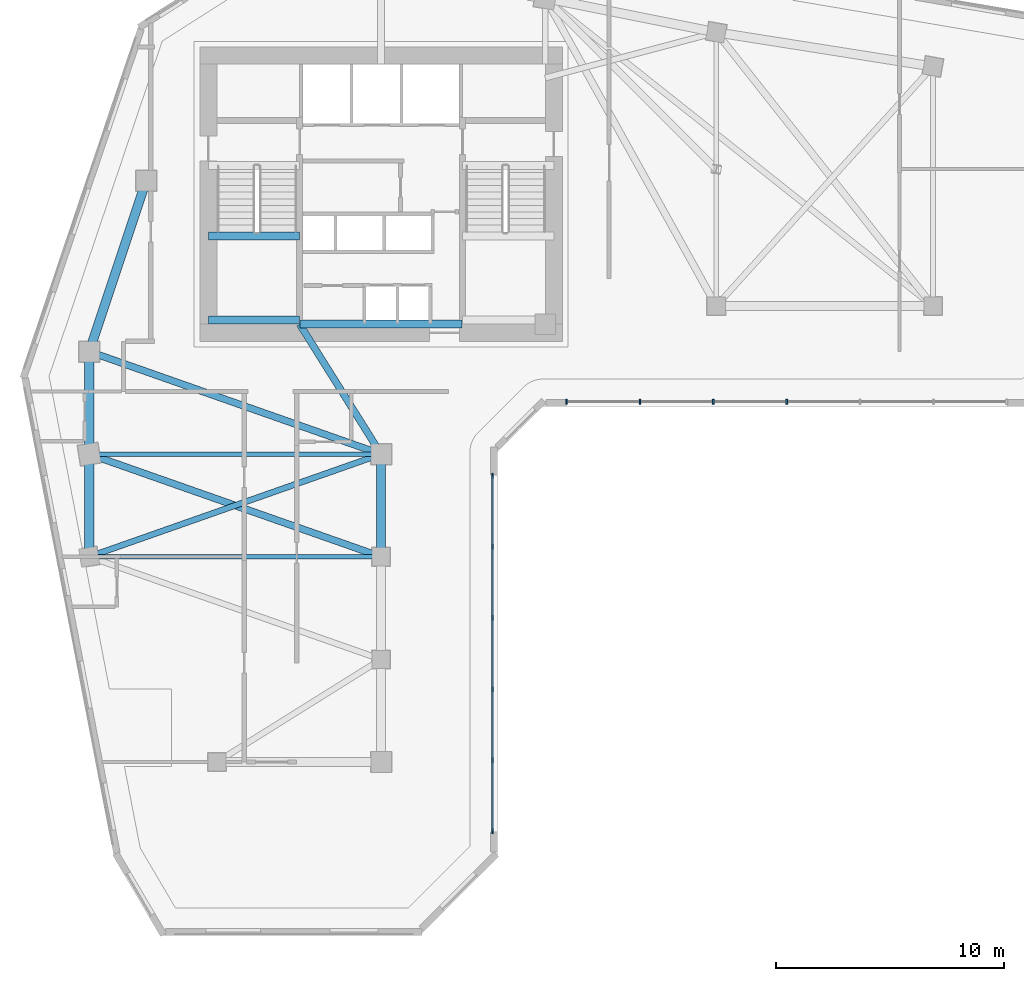
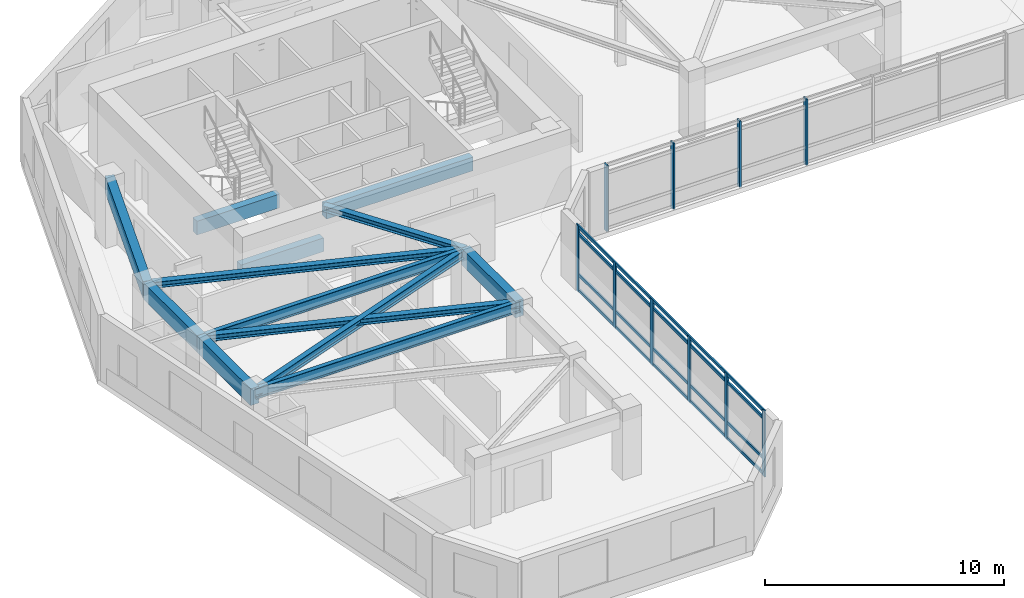
# One storey, part 2 of 13: 14 members, 13 beams, 2 elements without a shape of their own.
"""IFC4 building model written with IfcOpenShell, lengths in metres."""

from ifc_helpers import new_model, si_unit, direction, frame, origin, origin_2d, place, context, subcontext, project, spatial, rectangle, i_section, extrude, source, transform, mapped, material, material_profile, profile_set, type_object, element, aggregate, save


model = new_model("IFC4")

# Units and contexts
model_context = context("Model", 3, precision=1e-05, world=origin(), true_north=direction((0.0, 1.0)))
body_context = subcontext(model_context, "Body", "Model", "MODEL_VIEW")
ifc_project = project(units=[si_unit("LENGTHUNIT", "METRE"), si_unit("AREAUNIT", "SQUARE_METRE"), si_unit("VOLUMEUNIT", "CUBIC_METRE"), si_unit("PLANEANGLEUNIT", "RADIAN"), si_unit("MASSUNIT", "GRAM", prefix="KILO")], contexts=[model_context])

# Site, building, storey
site_placement = place(None, origin())
site = spatial("IfcSite", under=ifc_project, at=site_placement, CompositionType="ELEMENT")
building_placement = place(site_placement, origin())
building = spatial("IfcBuilding", under=site, at=building_placement, Name="Calvemar Wedge Station Tower", CompositionType="ELEMENT")
storey_placement = place(building_placement, frame((0.0, 0.0, 132.199951171875)))
storey = spatial("IfcBuildingStorey", under=building, at=storey_placement, Name="L32", CompositionType="ELEMENT", Elevation=132.199951171875)

# Beams
ifc_material_1 = material(Name="Concrete C60", Category="concrete")
ifc_material_profile_1 = material_profile(ifc_material_1, rectangle(XDim=0.39990234375, YDim=0.85009765625, at=origin_2d()), Name="RC400x850")
ifc_profile_set_1 = profile_set([ifc_material_profile_1], Name="Concrete C60")
beam_type_1 = type_object("IfcBeamType", Name="BM-SP1-850", PredefinedType="SPANDREL", material=ifc_profile_set_1)
shared_shape_1 = source(origin(), body_context, "Body", "SweptSolid", [
    extrude(rectangle(XDim=0.39990234375, YDim=0.85009765625, at=origin_2d()), origin(), (0.0, 0.0, 1.0), 7.90576171875),
])
beam_1_placement = place(storey_placement, frame((11.0, 33.0, 2.925048828125), z_axis=(0.316227766017, 0.948683298051, 0.0), x_axis=(-0.948683298051, 0.316227766017, 0.0)))
element("IfcBeam", 1, at=beam_1_placement, inside=storey, type_object=beam_type_1, Name="Storey L32 Spandrel T-NW1-T-NW2", PredefinedType="SPANDREL", context=body_context, shape_type="MappedRepresentation", body=[
    mapped(shared_shape_1, transform((0.0, 0.0, 0.0), scale=1.0)),
])
shared_shape_2 = source(origin(), body_context, "Body", "SweptSolid", [
    extrude(rectangle(XDim=0.39990234375, YDim=0.85009765625, at=origin_2d()), origin(), (0.0, 0.0, 1.0), 4.5),
])
for number, where, z_axis, x_axis, name in (
    (2, (11.0, 33.0, 2.925048828125), (0.0, -1.0, 0.0), (1.0, 0.0, 0.0), "Storey L32 Spandrel T-NW1-T-SW1"),
    (3, (11.0, 28.5, 2.925048828125), (0.0, -1.0, 0.0), (1.0, 0.0, 0.0), "Storey L32 Spandrel T-SW1-T-SW2"),
    (4, (23.800048828125, 28.5, 2.925048828125), (0.0, -1.0, 0.0), (1.0, 0.0, 0.0), "Storey L32 Spandrel T-SE1-T-SE2"),
):
    element("IfcBeam", number, at=place(storey_placement, frame(where, z_axis=z_axis, x_axis=x_axis)), inside=storey, type_object=beam_type_1, Name=name, PredefinedType="SPANDREL", context=body_context, shape_type="MappedRepresentation", body=[
        mapped(shared_shape_2, transform((0.0, 0.0, 0.0), scale=1.0)),
    ])
ifc_material_2 = material(Name="Concrete C70", Category="concrete")
ifc_material_profile_2 = material_profile(ifc_material_2, rectangle(XDim=0.35009765625, YDim=0.699951171875, at=origin_2d()), Name="RC350x700")
ifc_profile_set_2 = profile_set([ifc_material_profile_2], Name="Concrete C70")
beam_type_2 = type_object("IfcBeamType", Name="BM-LN1-700", PredefinedType="LINTEL", material=ifc_profile_set_2)
shared_shape_3 = source(origin(), body_context, "Body", "SweptSolid", [
    extrude(rectangle(XDim=0.35009765625, YDim=0.699951171875, at=origin_2d()), origin(), (0.0, 0.0, 1.0), 7.10009765625),
])
beam_2_placement = place(storey_placement, frame((20.25, 34.199951171875, 3.0), z_axis=(1.0, 0.0, 0.0), x_axis=(0.0, 1.0, 0.0)))
element("IfcBeam", 5, at=beam_2_placement, inside=storey, type_object=beam_type_2, Name="Storey L32 Core Coupling Lintel South", PredefinedType="LINTEL", context=body_context, shape_type="MappedRepresentation", body=[
    mapped(shared_shape_3, transform((0.0, 0.0, 0.0), scale=1.0)),
])
ifc_material_3 = material(Name="Structural steel ASTM A572 Grade 50", Category="steel")
ifc_material_profile_3 = material_profile(ifc_material_3, i_section(OverallWidth=0.304931640625, OverallDepth=0.30810546875, WebThickness=0.010009765625, FlangeThickness=0.015380859375, FilletRadius=0.014892578125, at=origin_2d()), Name="W310x97")
ifc_profile_set_3 = profile_set([ifc_material_profile_3], Name="Structural steel ASTM A572 Grade 50")
beam_type_3 = type_object("IfcBeamType", Name="BM-J6-W310", PredefinedType="JOIST", material=ifc_profile_set_3)
shared_shape_4 = source(origin(), body_context, "Body", "SweptSolid", [
    extrude(i_section(OverallWidth=0.304931640625, OverallDepth=0.30810546875, WebThickness=0.010009765625, FlangeThickness=0.015380859375, FilletRadius=0.014892578125, at=origin_2d()), origin(), (0.0, 0.0, 1.0), 13.568115234375),
])
for number, where, z_axis, x_axis, name in (
    (6, (11.0, 33.0, 3.196044921875), (0.943398221169, -0.331662171939, 0.0), (0.331662171939, 0.943398221169, 0.0), "Storey L32 Floor Beam T-NW1-T-SE1"),
    (7, (11.0, 28.5, 3.196044921875), (0.943398221169, -0.331662171939, 0.0), (0.331662171939, 0.943398221169, 0.0), "Storey L32 Floor Beam T-SW1-T-SE2"),
):
    element("IfcBeam", number, at=place(storey_placement, frame(where, z_axis=z_axis, x_axis=x_axis)), inside=storey, type_object=beam_type_3, Name=name, PredefinedType="JOIST", context=body_context, shape_type="MappedRepresentation", body=[
        mapped(shared_shape_4, transform((0.0, 0.0, 0.0), scale=1.0)),
    ])
ifc_material_profile_4 = material_profile(ifc_material_3, i_section(OverallWidth=0.260986328125, OverallDepth=0.419921875, WebThickness=0.01171875, FlangeThickness=0.019287109375, FilletRadius=0.012939453125, at=origin_2d()), Name="W410x114")
ifc_profile_set_4 = profile_set([ifc_material_profile_4], Name="Structural steel ASTM A572 Grade 50")
beam_type_4 = type_object("IfcBeamType", Name="BM-J2-W410H", PredefinedType="JOIST", material=ifc_profile_set_4)
shared_shape_5 = source(origin(), body_context, "Body", "SweptSolid", [
    extrude(i_section(OverallWidth=0.260986328125, OverallDepth=0.419921875, WebThickness=0.01171875, FlangeThickness=0.019287109375, FilletRadius=0.012939453125, at=origin_2d()), origin(), (0.0, 0.0, 1.0), 13.568115234375),
])
beam_3_placement = place(storey_placement, frame((23.800048828125, 28.5, 3.14013671875), z_axis=(-0.943398221169, -0.331662171939, 0.0), x_axis=(0.331662171939, -0.943398221169, 0.0)))
element("IfcBeam", 8, at=beam_3_placement, inside=storey, type_object=beam_type_4, Name="Storey L32 Floor Beam T-SE1-T-SW2", PredefinedType="JOIST", context=body_context, shape_type="MappedRepresentation", body=[
    mapped(shared_shape_5, transform((0.0, 0.0, 0.0), scale=1.0)),
])
shared_shape_6 = source(origin(), body_context, "Body", "SweptSolid", [
    extrude(i_section(OverallWidth=0.304931640625, OverallDepth=0.30810546875, WebThickness=0.010009765625, FlangeThickness=0.015380859375, FilletRadius=0.014892578125, at=origin_2d()), origin(), (0.0, 0.0, 1.0), 6.7255859375),
])
beam_4_placement = place(storey_placement, frame((20.22998046875, 34.199951171875, 3.196044921875), z_axis=(0.530811158438, -0.847490126242, 0.0), x_axis=(0.847490126242, 0.530811158438, 0.0)))
element("IfcBeam", 9, at=beam_4_placement, inside=storey, type_object=beam_type_3, Name="Storey L32 Core-to-Column Joist CJ-S2", PredefinedType="JOIST", context=body_context, shape_type="MappedRepresentation", body=[
    mapped(shared_shape_6, transform((0.0, 0.0, 0.0), scale=1.0)),
])
shared_shape_7 = source(origin(), body_context, "Body", "SweptSolid", [
    extrude(rectangle(XDim=0.35009765625, YDim=0.699951171875, at=origin_2d()), origin(), (0.0, 0.0, 1.0), 4.0048828125),
])
for number, where, z_axis, x_axis, name in (
    (10, (16.22509765625, 34.3798828125, 1.25), (1.0, 0.0, 0.0), (0.0, 1.0, 0.0), "Storey L32 Stair ST-C1 Half-Landing Beam 1A"),
    (11, (16.22509765625, 38.070068359375, 1.25), (1.0, 0.0, 0.0), (0.0, 1.0, 0.0), "Storey L32 Stair ST-C1 Half-Landing Beam 1B"),
):
    element("IfcBeam", number, at=place(storey_placement, frame(where, z_axis=z_axis, x_axis=x_axis)), inside=storey, type_object=beam_type_2, Name=name, PredefinedType="LINTEL", context=body_context, shape_type="MappedRepresentation", body=[
        mapped(shared_shape_7, transform((0.0, 0.0, 0.0), scale=1.0)),
    ])
ifc_material_profile_5 = material_profile(ifc_material_3, i_section(OverallWidth=0.2109375, OverallDepth=0.5390625, WebThickness=0.01171875, FlangeThickness=0.018798828125, FilletRadius=0.012939453125, at=origin_2d()), Name="W530x109")
ifc_profile_set_5 = profile_set([ifc_material_profile_5], Name="Structural steel ASTM A572 Grade 50")
beam_type_5 = type_object("IfcBeamType", Name="BM-SB4-W530", PredefinedType="BEAM", material=ifc_profile_set_5)
shared_shape_8 = source(origin(), body_context, "Body", "SweptSolid", [
    extrude(i_section(OverallWidth=0.2109375, OverallDepth=0.5390625, WebThickness=0.01171875, FlangeThickness=0.018798828125, FilletRadius=0.012939453125, at=origin_2d()), origin(), (0.0, 0.0, 1.0), 12.800048828125),
])
for number, where, z_axis, x_axis, name in (
    (12, (11.0, 28.5, 3.08056640625), (1.0, 0.0, 0.0), (0.0, 1.0, 0.0), "Storey L32 Floor Beam T-SW1-T-SE1"),
    (13, (11.0, 24.0, 3.08056640625), (1.0, 0.0, 0.0), (0.0, 1.0, 0.0), "Storey L32 Floor Beam T-SW2-T-SE2"),
):
    element("IfcBeam", number, at=place(storey_placement, frame(where, z_axis=z_axis, x_axis=x_axis)), inside=storey, type_object=beam_type_5, Name=name, PredefinedType="BEAM", context=body_context, shape_type="MappedRepresentation", body=[
        mapped(shared_shape_8, transform((0.0, 0.0, 0.0), scale=1.0)),
    ])

# Curtain wall, members
ifc_material_4 = material(Name="Anodised aluminium 6063-T6", Category="aluminium")
curtain_wall_type = type_object("IfcCurtainWallType", Name="CW2", PredefinedType="NOTDEFINED", material=ifc_material_4)
curtain_wall_1_placement = place(storey_placement, origin())
curtain_wall_1 = element("IfcCurtainWall", 14, at=curtain_wall_1_placement, inside=storey, type_object=curtain_wall_type, Name="Storey L32 CW2 Recessed Unitised Curtain Wall 4", PredefinedType="NOTDEFINED")
ifc_material_profile_6 = material_profile(ifc_material_4, rectangle(XDim=0.074951171875, YDim=0.219970703125, at=origin_2d()), Name="AL-MUL-75x220")
ifc_profile_set_6 = profile_set([ifc_material_profile_6], Name="Anodised aluminium 6063-T6")
member_type_1 = type_object("IfcMemberType", Name="CW2-MUL", PredefinedType="MULLION", material=ifc_profile_set_6)
shared_shape_9 = source(origin(), body_context, "Body", "SweptSolid", [
    extrude(rectangle(XDim=0.074951171875, YDim=0.219970703125, at=origin_2d()), origin(), (0.0, 0.0, 1.0), 3.400146484375),
])
member_1_placement = place(storey_placement, frame((28.68603515625, 11.962158203125, -0.050048828125), z_axis=(0.0, 0.0, 1.0), x_axis=(1.0, 0.0, 0.0)))
member_1 = element("IfcMember", 15, at=member_1_placement, type_object=member_type_1, Name="CW2 mullion 1", PredefinedType="MULLION", context=body_context, shape_type="MappedRepresentation", body=[
    mapped(shared_shape_9, transform((0.0, 0.0, 0.0), scale=1.0)),
])
member_2_placement = place(storey_placement, frame((28.68603515625, 15.08056640625, -0.050048828125), z_axis=(0.0, 0.0, 1.0), x_axis=(1.0, 0.0, 0.0)))
member_2 = element("IfcMember", 16, at=member_2_placement, type_object=member_type_1, Name="CW2 mullion 2", PredefinedType="MULLION", context=body_context, shape_type="MappedRepresentation", body=[
    mapped(shared_shape_9, transform((0.0, 0.0, 0.0), scale=1.0)),
])
member_3_placement = place(storey_placement, frame((28.68603515625, 18.198974609375, -0.050048828125), z_axis=(0.0, 0.0, 1.0), x_axis=(1.0, 0.0, 0.0)))
member_3 = element("IfcMember", 17, at=member_3_placement, type_object=member_type_1, Name="CW2 mullion 3", PredefinedType="MULLION", context=body_context, shape_type="MappedRepresentation", body=[
    mapped(shared_shape_9, transform((0.0, 0.0, 0.0), scale=1.0)),
])
member_4_placement = place(storey_placement, frame((28.68603515625, 21.3173828125, -0.050048828125), z_axis=(0.0, 0.0, 1.0), x_axis=(1.0, 0.0, 0.0)))
member_4 = element("IfcMember", 18, at=member_4_placement, type_object=member_type_1, Name="CW2 mullion 4", PredefinedType="MULLION", context=body_context, shape_type="MappedRepresentation", body=[
    mapped(shared_shape_9, transform((0.0, 0.0, 0.0), scale=1.0)),
])
member_5_placement = place(storey_placement, frame((28.68603515625, 24.435791015625, -0.050048828125), z_axis=(0.0, 0.0, 1.0), x_axis=(1.0, 0.0, 0.0)))
member_5 = element("IfcMember", 19, at=member_5_placement, type_object=member_type_1, Name="CW2 mullion 5", PredefinedType="MULLION", context=body_context, shape_type="MappedRepresentation", body=[
    mapped(shared_shape_9, transform((0.0, 0.0, 0.0), scale=1.0)),
])
member_6_placement = place(storey_placement, frame((28.68603515625, 27.55419921875, -0.050048828125), z_axis=(0.0, 0.0, 1.0), x_axis=(1.0, 0.0, 0.0)))
member_6 = element("IfcMember", 20, at=member_6_placement, type_object=member_type_1, Name="CW2 mullion 6", PredefinedType="MULLION", context=body_context, shape_type="MappedRepresentation", body=[
    mapped(shared_shape_9, transform((0.0, 0.0, 0.0), scale=1.0)),
])

curtain_wall_2_placement = place(storey_placement, origin())
curtain_wall_2 = element("IfcCurtainWall", 21, at=curtain_wall_2_placement, inside=storey, type_object=curtain_wall_type, Name="Storey L32 CW2 Recessed Unitised Curtain Wall 6", PredefinedType="NOTDEFINED")
member_7_placement = place(storey_placement, frame((31.933837890625, 30.802001953125, -0.050048828125), z_axis=(0.0, 0.0, 1.0), x_axis=(1.0, 0.0, 0.0)))
member_7 = element("IfcMember", 22, at=member_7_placement, type_object=member_type_1, Name="CW2 mullion 1", PredefinedType="MULLION", context=body_context, shape_type="MappedRepresentation", body=[
    mapped(shared_shape_9, transform((0.0, 0.0, 0.0), scale=1.0)),
])
member_8_placement = place(storey_placement, frame((35.151123046875, 30.802001953125, -0.050048828125), z_axis=(0.0, 0.0, 1.0), x_axis=(1.0, 0.0, 0.0)))
member_8 = element("IfcMember", 23, at=member_8_placement, type_object=member_type_1, Name="CW2 mullion 2", PredefinedType="MULLION", context=body_context, shape_type="MappedRepresentation", body=[
    mapped(shared_shape_9, transform((0.0, 0.0, 0.0), scale=1.0)),
])
member_9_placement = place(storey_placement, frame((38.36865234375, 30.802001953125, -0.050048828125), z_axis=(0.0, 0.0, 1.0), x_axis=(1.0, 0.0, 0.0)))
member_9 = element("IfcMember", 24, at=member_9_placement, type_object=member_type_1, Name="CW2 mullion 3", PredefinedType="MULLION", context=body_context, shape_type="MappedRepresentation", body=[
    mapped(shared_shape_9, transform((0.0, 0.0, 0.0), scale=1.0)),
])
member_10_placement = place(storey_placement, frame((41.5859375, 30.802001953125, -0.050048828125), z_axis=(0.0, 0.0, 1.0), x_axis=(1.0, 0.0, 0.0)))
member_10 = element("IfcMember", 25, at=member_10_placement, type_object=member_type_1, Name="CW2 mullion 4", PredefinedType="MULLION", context=body_context, shape_type="MappedRepresentation", body=[
    mapped(shared_shape_9, transform((0.0, 0.0, 0.0), scale=1.0)),
])
aggregate(curtain_wall_2, [member_7, member_8, member_9, member_10])

# Member
ifc_material_profile_7 = material_profile(ifc_material_4, rectangle(XDim=0.074951171875, YDim=0.14990234375, at=origin_2d()), Name="AL-TRN-75x150")
ifc_profile_set_7 = profile_set([ifc_material_profile_7], Name="Anodised aluminium 6063-T6")
member_type_2 = type_object("IfcMemberType", Name="CW2-TRN", PredefinedType="USERDEFINED", material=ifc_profile_set_7)
shared_shape_10 = source(origin(), body_context, "Body", "SweptSolid", [
    extrude(rectangle(XDim=0.074951171875, YDim=0.14990234375, at=origin_2d()), origin(), (0.0, 0.0, 1.0), 15.592041015625),
])
member_11_placement = place(storey_placement, frame((28.68603515625, 11.962158203125, 0.06005859375), z_axis=(0.0, 1.0, 0.0), x_axis=(-1.0, 0.0, 0.0)))
member_11 = element("IfcMember", 26, at=member_11_placement, type_object=member_type_2, Name="CW2 transom 1", ObjectType="TRANSOM", PredefinedType="USERDEFINED", context=body_context, shape_type="MappedRepresentation", body=[
    mapped(shared_shape_10, transform((0.0, 0.0, 0.0), scale=1.0)),
])

member_12_placement = place(storey_placement, frame((28.68603515625, 11.962158203125, 0.85009765625), z_axis=(0.0, 1.0, 0.0), x_axis=(-1.0, 0.0, 0.0)))
member_12 = element("IfcMember", 27, at=member_12_placement, type_object=member_type_2, Name="CW2 transom 2", ObjectType="TRANSOM", PredefinedType="USERDEFINED", context=body_context, shape_type="MappedRepresentation", body=[
    mapped(shared_shape_10, transform((0.0, 0.0, 0.0), scale=1.0)),
])

member_13_placement = place(storey_placement, frame((28.68603515625, 11.962158203125, 2.900146484375), z_axis=(0.0, 1.0, 0.0), x_axis=(-1.0, 0.0, 0.0)))
member_13 = element("IfcMember", 28, at=member_13_placement, type_object=member_type_2, Name="CW2 transom 3", ObjectType="TRANSOM", PredefinedType="USERDEFINED", context=body_context, shape_type="MappedRepresentation", body=[
    mapped(shared_shape_10, transform((0.0, 0.0, 0.0), scale=1.0)),
])

member_14_placement = place(storey_placement, frame((28.68603515625, 11.962158203125, 3.2900390625), z_axis=(0.0, 1.0, 0.0), x_axis=(-1.0, 0.0, 0.0)))
member_14 = element("IfcMember", 29, at=member_14_placement, type_object=member_type_2, Name="CW2 transom 4", ObjectType="TRANSOM", PredefinedType="USERDEFINED", context=body_context, shape_type="MappedRepresentation", body=[
    mapped(shared_shape_10, transform((0.0, 0.0, 0.0), scale=1.0)),
])

aggregate(curtain_wall_1, [member_1, member_2, member_3, member_4, member_5, member_6, member_11, member_12, member_13, member_14])

save(model, "model.ifc")
